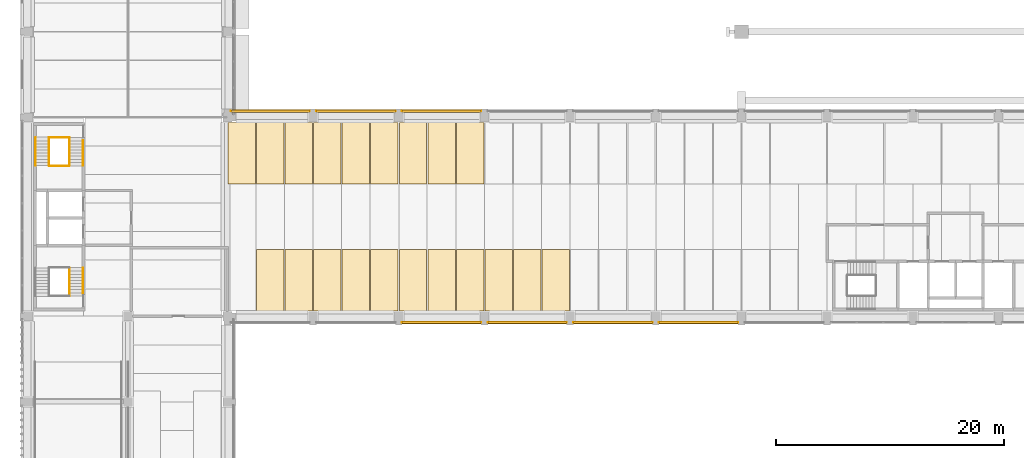
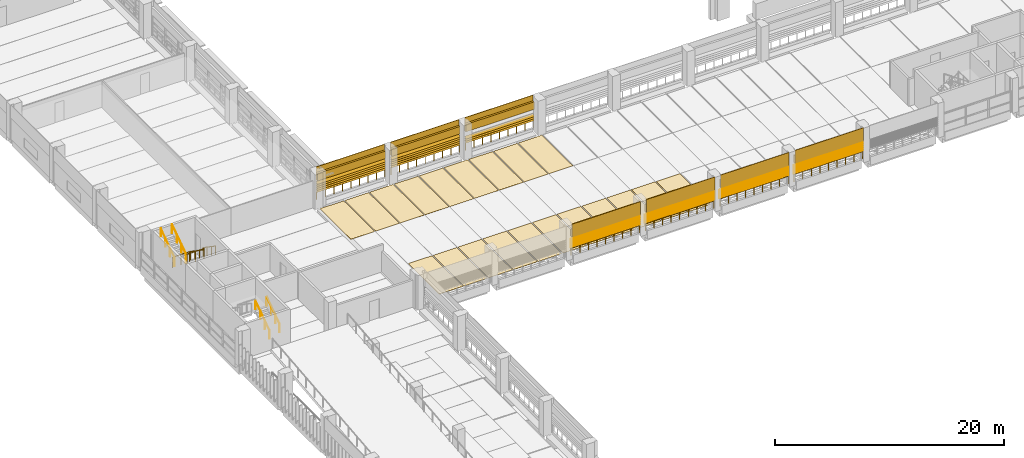
# One storey, part 44 of 61: 33 shading devices, 27 coverings, 15 railings.
"""IFC4 building model written with IfcOpenShell, lengths in metres."""

import ifcopenshell
import ifcopenshell.guid

model = None  # the IFC model being written
_history = None  # IfcOwnerHistory: only IFC2X3 demands one
_inside = {}  # id of a spatial element -> (the spatial element, [elements in it])
_under = {}  # id of a project, library or spatial element -> (it, [spatial elements below it])
_declared = {}  # id of a project -> (the project, [libraries it declares])
_typed = {}  # id of a type object -> (the type object, [elements of that type])
_made_of = {}  # id of a material, layer set ... -> (it, [elements and type objects made of it])


def new_model(schema):
    """Start an empty IFC model of exactly this schema.

    Asked for "IFC4X3", IfcOpenShell would pick the latest addendum, in which some entities
    have other attributes; the version numbers below select the first issue.
    IFC2X3 requires an IfcOwnerHistory on every rooted entity: one is made here for all.
    """
    global model, _history
    if schema == "IFC4X3":
        model = ifcopenshell.file(schema_version=(4, 3, 0, 0))
    else:
        model = ifcopenshell.file(schema=schema)
    _inside.clear()
    _under.clear()
    _declared.clear()
    _typed.clear()
    _made_of.clear()
    _history = None
    if model.schema == "IFC2X3":
        org = make("IfcOrganization", Name="unknown")
        user = make(
            "IfcPersonAndOrganization",
            ThePerson=make("IfcPerson", FamilyName="unknown"),
            TheOrganization=org,
        )
        app = make(
            "IfcApplication",
            ApplicationDeveloper=org,
            Version="unknown",
            ApplicationFullName="unknown",
            ApplicationIdentifier="unknown",
        )
        _history = make(
            "IfcOwnerHistory",
            OwningUser=user,
            OwningApplication=app,
            ChangeAction="ADDED",
            CreationDate=0,
        )
    return model


def make(cls, **values):
    """One entity of the class cls with the attributes given. An attribute that is None is left unset."""
    return model.create_entity(
        cls, **{name: value for name, value in values.items() if value is not None}
    )


def rooted(cls, **values):
    """An entity with a GlobalId (a new one), such as an element, a storey or a relation."""
    return make(cls, GlobalId=ifcopenshell.guid.new(), OwnerHistory=_history, **values)


def si_unit(unit_type, name, prefix=None):
    """IfcSIUnit, for example si_unit("LENGTHUNIT", "METRE", prefix="MILLI")."""
    return make("IfcSIUnit", UnitType=unit_type, Prefix=prefix, Name=name)


def assignment(units):
    """IfcUnitAssignment: the units of a project."""
    return None if units is None else make("IfcUnitAssignment", Units=units)


def point(xyz):
    """IfcCartesianPoint."""
    return None if xyz is None else make("IfcCartesianPoint", Coordinates=xyz)


def direction(xyz):
    """IfcDirection."""
    return None if xyz is None else make("IfcDirection", DirectionRatios=xyz)


def frame(location, z_axis=None, x_axis=None):
    """IfcAxis2Placement3D, a coordinate frame: its origin and axes. An axis left out is left unset."""
    return make(
        "IfcAxis2Placement3D",
        Location=point(location),
        Axis=direction(z_axis),
        RefDirection=direction(x_axis),
    )


def frame_2d(location, x_axis=None):
    """IfcAxis2Placement2D, a coordinate frame in the plane: its origin and x axis."""
    return make(
        "IfcAxis2Placement2D", Location=point(location), RefDirection=direction(x_axis)
    )


def origin():
    """The frame at (0, 0, 0) with its axes left unset."""
    return frame((0.0, 0.0, 0.0))


def origin_2d():
    """The frame at (0, 0) in the plane with its x axis left unset."""
    return frame_2d((0.0, 0.0))


def place(relative_to, where):
    """IfcLocalPlacement: puts the frame where relative to a parent placement (None: the world)."""
    return make(
        "IfcLocalPlacement", PlacementRelTo=relative_to, RelativePlacement=where
    )


def context(
    kind, dimensions, precision=None, world=None, true_north=None, identifier=None
):
    """IfcGeometricRepresentationContext, for example the 3D "Model" context."""
    return make(
        "IfcGeometricRepresentationContext",
        ContextIdentifier=identifier,
        ContextType=kind,
        CoordinateSpaceDimension=dimensions,
        Precision=precision,
        WorldCoordinateSystem=world,
        TrueNorth=true_north,
    )


def subcontext(parent, identifier, kind, view, scale=None):
    """IfcGeometricRepresentationSubContext, for example "Body" below "Model"."""
    return make(
        "IfcGeometricRepresentationSubContext",
        ContextIdentifier=identifier,
        ContextType=kind,
        ParentContext=parent,
        TargetScale=scale,
        TargetView=view,
    )


def project(units=None, contexts=None):
    """IfcProject with its units and contexts."""
    return rooted(
        "IfcProject",
        Name="project",
        RepresentationContexts=contexts,
        UnitsInContext=assignment(units),
    )


def spatial(cls, under=None, at=None, **own):
    """A site, building, storey or space (cls), placed at a placement, below another one or the project."""
    s = rooted(cls, ObjectPlacement=at, **own)
    if under is not None:
        _under.setdefault(under.id(), (under, []))[1].append(s)
    return s


def polyline(points):
    """IfcPolyline through the points."""
    return make("IfcPolyline", Points=[point(p) for p in points])


def profile(cls, at=None, kind="AREA", **sizes):
    """A parametric profile (cls). Its sizes go by their IFC names, for example OverallWidth=200.0."""
    return make(cls, ProfileType=kind, Position=at, **sizes)


def circle(**sizes):
    """IfcCircleProfileDef."""
    return profile("IfcCircleProfileDef", **sizes)


def outline(outer, holes=None, kind="AREA"):
    """IfcArbitraryClosedProfileDef: a profile drawn as a closed curve; with holes, ...WithVoids."""
    if holes is None:
        return make("IfcArbitraryClosedProfileDef", ProfileType=kind, OuterCurve=outer)
    return make(
        "IfcArbitraryProfileDefWithVoids",
        ProfileType=kind,
        OuterCurve=outer,
        InnerCurves=holes,
    )


def extrude(swept, where, along, depth):
    """IfcExtrudedAreaSolid: the profile swept, set in the frame where, extruded along a direction by depth."""
    return make(
        "IfcExtrudedAreaSolid",
        SweptArea=swept,
        Position=where,
        ExtrudedDirection=direction(along),
        Depth=depth,
    )


def shape(context_of_items, identifier, shape_type, items):
    """IfcShapeRepresentation: the items that make up one representation, for example the "Body"."""
    return make(
        "IfcShapeRepresentation",
        ContextOfItems=context_of_items,
        RepresentationIdentifier=identifier,
        RepresentationType=shape_type,
        Items=items,
    )


def material(Name=None, Category=None):
    """IfcMaterial."""
    return make("IfcMaterial", Name=Name, Category=Category)


def layer(
    of_material, thickness, ventilated=None, Name=None, Category=None, Priority=None
):
    """IfcMaterialLayer: one layer of a wall or slab, of a material (None: an air gap)."""
    return make(
        "IfcMaterialLayer",
        Material=of_material,
        LayerThickness=thickness,
        IsVentilated=ventilated,
        Name=Name,
        Category=Category,
        Priority=Priority,
    )


def layer_set(layers, Name=None):
    """IfcMaterialLayerSet."""
    return make("IfcMaterialLayerSet", MaterialLayers=layers, LayerSetName=Name)


def made_of(thing, what):
    """Note that an element or type object is made of a material, layer set ...; save() writes the relation."""
    if what is not None:
        _made_of.setdefault(what.id(), (what, []))[1].append(thing)
    return thing


def type_object(cls, material=None, **own):
    """A type object (cls), such as IfcWallType, which elements share."""
    return made_of(rooted(cls, **own), material)


def element(
    cls,
    number,
    at=None,
    inside=None,
    cuts=None,
    type_object=None,
    material=None,
    context=None,
    identifier="Body",
    shape_type=None,
    held_by="IfcProductDefinitionShape",
    body=None,
    shapes=None,
    **own,
):
    """One element of the class cls, such as IfcWall. Its Tag is "e" and its number.

    at: its placement. inside: the storey or other place that contains it. cuts: it is an
    opening in that element (IfcRelVoidsElement). A single representation is given by context,
    identifier, shape_type and body (its items); several are given by shapes. held_by: the class
    of the entity that holds the representations. save() writes the other relations.
    """
    e = rooted(cls, Tag="e%d" % number, ObjectPlacement=at, **own)
    if body is not None:
        shapes = [shape(context, identifier, shape_type, body)]
    if shapes is not None:
        e.Representation = make(held_by, Representations=shapes)
    if inside is not None:
        _inside.setdefault(inside.id(), (inside, []))[1].append(e)
    if cuts is not None:
        rooted(
            "IfcRelVoidsElement", RelatingBuildingElement=cuts, RelatedOpeningElement=e
        )
    if type_object is not None:
        _typed.setdefault(type_object.id(), (type_object, []))[1].append(e)
    return made_of(e, material)


def aggregate(whole, parts):
    """IfcRelAggregates: a whole, such as a stair, and the parts it consists of."""
    return rooted("IfcRelAggregates", RelatingObject=whole, RelatedObjects=parts)


def save(model, path):
    """Write the relations noted so far, then the file.

    IfcRelAggregates (storeys below a building ...), IfcRelContainedInSpatialStructure (elements
    in a storey), IfcRelDefinesByType, IfcRelAssociatesMaterial and IfcRelDeclares: one each for
    every whole, place, type object, material and project.
    """
    for whole, parts in _under.values():
        aggregate(whole, parts)
    for where, things in _inside.values():
        rooted(
            "IfcRelContainedInSpatialStructure",
            RelatedElements=things,
            RelatingStructure=where,
        )
    for kind, things in _typed.values():
        rooted("IfcRelDefinesByType", RelatedObjects=things, RelatingType=kind)
    for what, things in _made_of.values():
        rooted("IfcRelAssociatesMaterial", RelatedObjects=things, RelatingMaterial=what)
    for by, libraries in _declared.values():
        rooted("IfcRelDeclares", RelatingContext=by, RelatedDefinitions=libraries)
    model.write(path)


model = new_model("IFC4")

# Units and contexts
model_context = context("Model", 3, precision=1e-05, world=origin(), true_north=direction((0.0, 1.0)))
body_context = subcontext(model_context, "Body", "Model", "MODEL_VIEW")
ifc_project = project(units=[si_unit("LENGTHUNIT", "METRE"), si_unit("AREAUNIT", "SQUARE_METRE"), si_unit("VOLUMEUNIT", "CUBIC_METRE"), si_unit("PLANEANGLEUNIT", "RADIAN"), si_unit("MASSUNIT", "GRAM", prefix="KILO")], contexts=[model_context])

# Site, building, storey
site_placement = place(None, origin())
site = spatial("IfcSite", under=ifc_project, at=site_placement, CompositionType="ELEMENT")
building_placement = place(site_placement, origin())
building = spatial("IfcBuilding", under=site, at=building_placement, Name="Cour d'Honneur Mobility Palace", CompositionType="ELEMENT")
storey_placement = place(building_placement, frame((0.0, 0.0, 11.89990234375)))
storey = spatial("IfcBuildingStorey", under=building, at=storey_placement, Name="L03", CompositionType="ELEMENT", Elevation=11.89990234375)

# Railings
ifc_material_1 = material(Name="Painted steel", Category="steel")
railing_type_1 = type_object("IfcRailingType", Name="Balustrade", PredefinedType="BALUSTRADE", material=ifc_material_1)
for number, where, name in (
    (1, (32.699951171875, 44.449951171875, 0.300048828125), "Balustrade BAL-141"),
    (2, (40.199951171875, 44.449951171875, 0.300048828125), "Balustrade BAL-142"),
    (3, (47.699951171875, 44.449951171875, 0.300048828125), "Balustrade BAL-143"),
    (4, (55.199951171875, 44.449951171875, 0.300048828125), "Balustrade BAL-144"),
):
    element("IfcRailing", number, at=place(storey_placement, frame(where)), inside=storey, type_object=railing_type_1, Name=name, PredefinedType="BALUSTRADE", context=body_context, shape_type="SweptSolid", body=[
        extrude(circle(Radius=0.02392578125, at=origin_2d()), frame((0.0, 0.0, 0.77587890625), z_axis=(1.0, 0.0, 0.0), x_axis=(0.0, 1.0, 0.0)), (0.0, 0.0, 1.0), 6.900146484375),
        extrude(circle(Radius=0.02099609375, at=origin_2d()), origin(), (0.0, 0.0, 1.0), 0.751953125),
        extrude(circle(Radius=0.02099609375, at=origin_2d()), frame((0.862548828125, 0.0, 0.0)), (0.0, 0.0, 1.0), 0.751953125),
        extrude(circle(Radius=0.02099609375, at=origin_2d()), frame((1.72509765625, 0.0, 0.0)), (0.0, 0.0, 1.0), 0.751953125),
        extrude(circle(Radius=0.02099609375, at=origin_2d()), frame((2.587646484375, 0.0, 0.0)), (0.0, 0.0, 1.0), 0.751953125),
        extrude(circle(Radius=0.02099609375, at=origin_2d()), frame((3.4501953125, 0.0, 0.0)), (0.0, 0.0, 1.0), 0.751953125),
        extrude(circle(Radius=0.02099609375, at=origin_2d()), frame((4.3125, 0.0, 0.0)), (0.0, 0.0, 1.0), 0.751953125),
        extrude(circle(Radius=0.02099609375, at=origin_2d()), frame((5.175048828125, 0.0, 0.0)), (0.0, 0.0, 1.0), 0.751953125),
        extrude(circle(Radius=0.02099609375, at=origin_2d()), frame((6.03759765625, 0.0, 0.0)), (0.0, 0.0, 1.0), 0.751953125),
        extrude(circle(Radius=0.02099609375, at=origin_2d()), frame((6.900146484375, 0.0, 0.0)), (0.0, 0.0, 1.0), 0.751953125),
    ])
for number, where, name in (
    (5, (39.60009765625, 62.949951171875, 0.300048828125), "Balustrade BAL-184"),
    (6, (32.10009765625, 62.949951171875, 0.300048828125), "Balustrade BAL-185"),
    (7, (24.60009765625, 62.949951171875, 0.300048828125), "Balustrade BAL-186"),
):
    element("IfcRailing", number, at=place(storey_placement, frame(where)), inside=storey, type_object=railing_type_1, Name=name, PredefinedType="BALUSTRADE", context=body_context, shape_type="SweptSolid", body=[
        extrude(circle(Radius=0.02392578125, at=origin_2d()), frame((0.0, 0.0, 0.77587890625), z_axis=(-1.0, 0.0, 0.0), x_axis=(0.0, -1.0, 0.0)), (0.0, 0.0, 1.0), 6.900146484375),
        extrude(circle(Radius=0.02099609375, at=origin_2d()), origin(), (0.0, 0.0, 1.0), 0.751953125),
        extrude(circle(Radius=0.02099609375, at=origin_2d()), frame((-0.862548828125, 0.0, 0.0)), (0.0, 0.0, 1.0), 0.751953125),
        extrude(circle(Radius=0.02099609375, at=origin_2d()), frame((-1.72509765625, 0.0, 0.0)), (0.0, 0.0, 1.0), 0.751953125),
        extrude(circle(Radius=0.02099609375, at=origin_2d()), frame((-2.587646484375, 0.0, 0.0)), (0.0, 0.0, 1.0), 0.751953125),
        extrude(circle(Radius=0.02099609375, at=origin_2d()), frame((-3.4501953125, 0.0, 0.0)), (0.0, 0.0, 1.0), 0.751953125),
        extrude(circle(Radius=0.02099609375, at=origin_2d()), frame((-4.3125, 0.0, 0.0)), (0.0, 0.0, 1.0), 0.751953125),
        extrude(circle(Radius=0.02099609375, at=origin_2d()), frame((-5.175048828125, 0.0, 0.0)), (0.0, 0.0, 1.0), 0.751953125),
        extrude(circle(Radius=0.02099609375, at=origin_2d()), frame((-6.03759765625, 0.0, 0.0)), (0.0, 0.0, 1.0), 0.751953125),
        extrude(circle(Radius=0.02099609375, at=origin_2d()), frame((-6.900146484375, 0.0, 0.0)), (0.0, 0.0, 1.0), 0.751953125),
    ])
ifc_material_2 = material(Name="Painted steel", Category="steel")
railing_type_2 = type_object("IfcRailingType", Name="Guardrail 1100", PredefinedType="GUARDRAIL", material=ifc_material_2)
for number, where, name in (
    (8, (1.824951171875, 60.64501953125, 0.0), "Guard ST-CW2"),
    (9, (1.824951171875, 58.135009765625, 1.85009765625), "Landing guard ST-CW2"),
):
    element("IfcRailing", number, at=place(storey_placement, frame(where)), inside=storey, type_object=railing_type_2, Name=name, PredefinedType="GUARDRAIL", context=body_context, shape_type="SweptSolid", body=[
        extrude(circle(Radius=0.02490234375, at=origin_2d()), frame((0.0, 0.0, 1.0751953125), z_axis=(1.0, 0.0, 0.0), x_axis=(0.0, 1.0, 0.0)), (0.0, 0.0, 1.0), 1.72509765625),
        extrude(circle(Radius=0.02099609375, at=origin_2d()), origin(), (0.0, 0.0, 1.0), 1.050048828125),
        extrude(circle(Radius=0.02099609375, at=origin_2d()), frame((0.862548828125, 0.0, 0.0)), (0.0, 0.0, 1.0), 1.050048828125),
        extrude(circle(Radius=0.02099609375, at=origin_2d()), frame((1.72509765625, 0.0, 0.0)), (0.0, 0.0, 1.0), 1.050048828125),
    ])
ifc_material_3 = material(Name="Stainless steel", Category="steel")
railing_type_3 = type_object("IfcRailingType", Name="Handrail round 50", PredefinedType="HANDRAIL", material=ifc_material_3)
railing_1_placement = place(storey_placement, frame((4.75, 47.0, 0.33935546875)))
element("IfcRailing", 10, at=railing_1_placement, inside=storey, type_object=railing_type_3, Name="Handrail ST-CW1", PredefinedType="HANDRAIL", context=body_context, shape_type="SweptSolid", body=[
    extrude(circle(Radius=0.02490234375, at=origin_2d()), frame((0.0, 0.0, 0.89501953125), z_axis=(0.0, 0.824957609129, 0.565194606432), x_axis=(-1.0, 0.0, 0.0)), (0.0, 0.0, 1.0), 2.6728515625),
    extrude(circle(Radius=0.02099609375, at=origin_2d()), origin(), (0.0, 0.0, 1.0), 0.869873046875),
    extrude(circle(Radius=0.02099609375, at=origin_2d()), frame((0.0, 0.735107421875, 0.503662109375)), (0.0, 0.0, 1.0), 0.869873046875),
    extrude(circle(Radius=0.02099609375, at=origin_2d()), frame((0.0, 1.469970703125, 1.007080078125)), (0.0, 0.0, 1.0), 0.869873046875),
    extrude(circle(Radius=0.02099609375, at=origin_2d()), frame((0.0, 2.205078125, 1.5107421875)), (0.0, 0.0, 1.0), 0.869873046875),
])
railing_2_placement = place(storey_placement, frame((3.60009765625, 46.77490234375, 0.18505859375)))
element("IfcRailing", 11, at=railing_2_placement, inside=storey, type_object=railing_type_3, Name="Handrail ST-CW1", PredefinedType="HANDRAIL", context=body_context, shape_type="SweptSolid", body=[
    extrude(circle(Radius=0.02490234375, at=origin_2d()), frame((0.0, 0.0, 0.89501953125), z_axis=(0.0, 0.824945253146, 0.565212640793), x_axis=(-1.0, 0.0, 0.0)), (0.0, 0.0, 1.0), 2.94580078125),
    extrude(circle(Radius=0.02099609375, at=origin_2d()), origin(), (0.0, 0.0, 1.0), 0.869873046875),
    extrude(circle(Radius=0.02099609375, at=origin_2d()), frame((0.0, 0.81005859375, 0.554931640625)), (0.0, 0.0, 1.0), 0.869873046875),
    extrude(circle(Radius=0.02099609375, at=origin_2d()), frame((0.0, 1.6201171875, 1.110107421875)), (0.0, 0.0, 1.0), 0.869873046875),
    extrude(circle(Radius=0.02099609375, at=origin_2d()), frame((0.0, 2.43017578125, 1.6650390625)), (0.0, 0.0, 1.0), 0.869873046875),
])
railing_3_placement = place(storey_placement, frame((4.75, 60.39990234375, 0.33935546875)))
element("IfcRailing", 12, at=railing_3_placement, inside=storey, type_object=railing_type_3, Name="Handrail ST-CW2", PredefinedType="HANDRAIL", context=body_context, shape_type="SweptSolid", body=[
    extrude(circle(Radius=0.02490234375, at=origin_2d()), frame((0.0, 0.0, 0.89501953125), z_axis=(0.0, -0.824928428624, 0.565237195917), x_axis=(1.0, 0.0, 0.0)), (0.0, 0.0, 1.0), 2.6728515625),
    extrude(circle(Radius=0.02099609375, at=origin_2d()), origin(), (0.0, 0.0, 1.0), 0.869873046875),
    extrude(circle(Radius=0.02099609375, at=origin_2d()), frame((0.0, -0.73486328125, 0.503662109375)), (0.0, 0.0, 1.0), 0.869873046875),
    extrude(circle(Radius=0.02099609375, at=origin_2d()), frame((0.0, -1.469970703125, 1.007080078125)), (0.0, 0.0, 1.0), 0.869873046875),
    extrude(circle(Radius=0.02099609375, at=origin_2d()), frame((0.0, -2.204833984375, 1.5107421875)), (0.0, 0.0, 1.0), 0.869873046875),
])
railing_4_placement = place(storey_placement, frame((3.60009765625, 60.625, 0.18505859375)))
element("IfcRailing", 13, at=railing_4_placement, inside=storey, type_object=railing_type_3, Name="Handrail ST-CW2", PredefinedType="HANDRAIL", context=body_context, shape_type="SweptSolid", body=[
    extrude(circle(Radius=0.02490234375, at=origin_2d()), frame((0.0, 0.0, 0.89501953125), z_axis=(0.0, -0.8249187745, 0.56525128525), x_axis=(1.0, 0.0, 0.0)), (0.0, 0.0, 1.0), 2.945556640625),
    extrude(circle(Radius=0.02099609375, at=origin_2d()), origin(), (0.0, 0.0, 1.0), 0.869873046875),
    extrude(circle(Radius=0.02099609375, at=origin_2d()), frame((0.0, -0.81005859375, 0.554931640625)), (0.0, 0.0, 1.0), 0.869873046875),
    extrude(circle(Radius=0.02099609375, at=origin_2d()), frame((0.0, -1.619873046875, 1.110107421875)), (0.0, 0.0, 1.0), 0.869873046875),
    extrude(circle(Radius=0.02099609375, at=origin_2d()), frame((0.0, -2.429931640625, 1.6650390625)), (0.0, 0.0, 1.0), 0.869873046875),
])
for number, where, name in (
    (14, (1.77490234375, 58.195068359375, 2.03515625), "Handrail ST-CW2"),
    (15, (0.625, 58.195068359375, 2.03515625), "Handrail ST-CW2"),
):
    element("IfcRailing", number, at=place(storey_placement, frame(where)), inside=storey, type_object=railing_type_3, Name=name, PredefinedType="HANDRAIL", context=body_context, shape_type="SweptSolid", body=[
        extrude(circle(Radius=0.02490234375, at=origin_2d()), frame((0.0, 0.0, 0.89501953125), z_axis=(0.0, 0.8249187745, 0.56525128525), x_axis=(-1.0, 0.0, 0.0)), (0.0, 0.0, 1.0), 2.945556640625),
        extrude(circle(Radius=0.02099609375, at=origin_2d()), origin(), (0.0, 0.0, 1.0), 0.869873046875),
        extrude(circle(Radius=0.02099609375, at=origin_2d()), frame((0.0, 0.81005859375, 0.554931640625)), (0.0, 0.0, 1.0), 0.869873046875),
        extrude(circle(Radius=0.02099609375, at=origin_2d()), frame((0.0, 1.619873046875, 1.110107421875)), (0.0, 0.0, 1.0), 0.869873046875),
        extrude(circle(Radius=0.02099609375, at=origin_2d()), frame((0.0, 2.429931640625, 1.6650390625)), (0.0, 0.0, 1.0), 0.869873046875),
    ])

# Coverings
ifc_material_4 = material(Name="Parking marking paint")
ifc_layer_1 = layer(ifc_material_4, 0.0048828125)
ifc_layer_set_1 = layer_set([ifc_layer_1], Name="Parking marking paint")
covering_type_1 = type_object("IfcCoveringType", Name="Parking bay marking", PredefinedType="FLOORING", material=ifc_layer_set_1)
covering_1_placement = place(storey_placement, origin())
element("IfcCovering", 16, at=covering_1_placement, inside=storey, type_object=covering_type_1, Name="Parking bay marking L03 1", PredefinedType="FLOORING", context=body_context, shape_type="SweptSolid", body=[
    extrude(outline(polyline([(19.85009765625, 56.550048828125), (17.449951171875, 56.550048828125), (17.449951171875, 61.949951171875), (19.85009765625, 61.949951171875), (19.85009765625, 56.550048828125)])), origin(), (0.0, 0.0, 1.0), 0.005126953125),
])
covering_2_placement = place(storey_placement, origin())
element("IfcCovering", 17, at=covering_2_placement, inside=storey, type_object=covering_type_1, Name="Parking bay marking L03 12", PredefinedType="FLOORING", context=body_context, shape_type="SweptSolid", body=[
    extrude(outline(polyline([(22.35009765625, 56.550048828125), (19.949951171875, 56.550048828125), (19.949951171875, 61.949951171875), (22.35009765625, 61.949951171875), (22.35009765625, 56.550048828125)])), origin(), (0.0, 0.0, 1.0), 0.005126953125),
])
covering_3_placement = place(storey_placement, origin())
element("IfcCovering", 18, at=covering_3_placement, inside=storey, type_object=covering_type_1, Name="Parking bay marking L03 13", PredefinedType="FLOORING", context=body_context, shape_type="SweptSolid", body=[
    extrude(outline(polyline([(24.85009765625, 56.550048828125), (22.449951171875, 56.550048828125), (22.449951171875, 61.949951171875), (24.85009765625, 61.949951171875), (24.85009765625, 56.550048828125)])), origin(), (0.0, 0.0, 1.0), 0.005126953125),
])
covering_4_placement = place(storey_placement, origin())
element("IfcCovering", 19, at=covering_4_placement, inside=storey, type_object=covering_type_1, Name="Parking bay marking L03 22", PredefinedType="FLOORING", context=body_context, shape_type="SweptSolid", body=[
    extrude(outline(polyline([(27.35009765625, 56.550048828125), (24.949951171875, 56.550048828125), (24.949951171875, 61.949951171875), (27.35009765625, 61.949951171875), (27.35009765625, 56.550048828125)])), origin(), (0.0, 0.0, 1.0), 0.005126953125),
])
covering_5_placement = place(storey_placement, origin())
element("IfcCovering", 20, at=covering_5_placement, inside=storey, type_object=covering_type_1, Name="Parking bay marking L03 33", PredefinedType="FLOORING", context=body_context, shape_type="SweptSolid", body=[
    extrude(outline(polyline([(29.85009765625, 56.550048828125), (27.449951171875, 56.550048828125), (27.449951171875, 61.949951171875), (29.85009765625, 61.949951171875), (29.85009765625, 56.550048828125)])), origin(), (0.0, 0.0, 1.0), 0.005126953125),
])
covering_6_placement = place(storey_placement, origin())
element("IfcCovering", 21, at=covering_6_placement, inside=storey, type_object=covering_type_1, Name="Parking bay marking L03 36", PredefinedType="FLOORING", context=body_context, shape_type="SweptSolid", body=[
    extrude(outline(polyline([(32.35009765625, 56.550048828125), (29.949951171875, 56.550048828125), (29.949951171875, 61.949951171875), (32.35009765625, 61.949951171875), (32.35009765625, 56.550048828125)])), origin(), (0.0, 0.0, 1.0), 0.005126953125),
])
covering_7_placement = place(storey_placement, origin())
element("IfcCovering", 22, at=covering_7_placement, inside=storey, type_object=covering_type_1, Name="Parking bay marking L03 37", PredefinedType="FLOORING", context=body_context, shape_type="SweptSolid", body=[
    extrude(outline(polyline([(34.85009765625, 56.550048828125), (32.449951171875, 56.550048828125), (32.449951171875, 61.949951171875), (34.85009765625, 61.949951171875), (34.85009765625, 56.550048828125)])), origin(), (0.0, 0.0, 1.0), 0.005126953125),
])
covering_8_placement = place(storey_placement, origin())
element("IfcCovering", 23, at=covering_8_placement, inside=storey, type_object=covering_type_1, Name="Parking bay marking L03 38", PredefinedType="FLOORING", context=body_context, shape_type="SweptSolid", body=[
    extrude(outline(polyline([(37.35009765625, 56.550048828125), (34.949951171875, 56.550048828125), (34.949951171875, 61.949951171875), (37.35009765625, 61.949951171875), (37.35009765625, 56.550048828125)])), origin(), (0.0, 0.0, 1.0), 0.005126953125),
])
covering_9_placement = place(storey_placement, origin())
element("IfcCovering", 24, at=covering_9_placement, inside=storey, type_object=covering_type_1, Name="Parking bay marking L03 39", PredefinedType="FLOORING", context=body_context, shape_type="SweptSolid", body=[
    extrude(outline(polyline([(39.85009765625, 56.550048828125), (37.449951171875, 56.550048828125), (37.449951171875, 61.949951171875), (39.85009765625, 61.949951171875), (39.85009765625, 56.550048828125)])), origin(), (0.0, 0.0, 1.0), 0.005126953125),
])
covering_10_placement = place(storey_placement, origin())
element("IfcCovering", 25, at=covering_10_placement, inside=storey, type_object=covering_type_1, Name="Parking bay marking L03 40", PredefinedType="FLOORING", context=body_context, shape_type="SweptSolid", body=[
    extrude(outline(polyline([(42.35009765625, 45.449951171875), (39.949951171875, 45.449951171875), (39.949951171875, 50.85009765625), (42.35009765625, 50.85009765625), (42.35009765625, 45.449951171875)])), origin(), (0.0, 0.0, 1.0), 0.005126953125),
])
covering_11_placement = place(storey_placement, origin())
element("IfcCovering", 26, at=covering_11_placement, inside=storey, type_object=covering_type_1, Name="Parking bay marking L03 41", PredefinedType="FLOORING", context=body_context, shape_type="SweptSolid", body=[
    extrude(outline(polyline([(44.85009765625, 45.449951171875), (42.449951171875, 45.449951171875), (42.449951171875, 50.85009765625), (44.85009765625, 50.85009765625), (44.85009765625, 45.449951171875)])), origin(), (0.0, 0.0, 1.0), 0.005126953125),
])
covering_12_placement = place(storey_placement, origin())
element("IfcCovering", 27, at=covering_12_placement, inside=storey, type_object=covering_type_1, Name="Parking bay marking L03 42", PredefinedType="FLOORING", context=body_context, shape_type="SweptSolid", body=[
    extrude(outline(polyline([(47.35009765625, 45.449951171875), (44.949951171875, 45.449951171875), (44.949951171875, 50.85009765625), (47.35009765625, 50.85009765625), (47.35009765625, 45.449951171875)])), origin(), (0.0, 0.0, 1.0), 0.005126953125),
])
covering_13_placement = place(storey_placement, origin())
element("IfcCovering", 28, at=covering_13_placement, inside=storey, type_object=covering_type_1, Name="Parking bay marking L03 50", PredefinedType="FLOORING", context=body_context, shape_type="SweptSolid", body=[
    extrude(outline(polyline([(22.35009765625, 45.449951171875), (19.949951171875, 45.449951171875), (19.949951171875, 50.85009765625), (22.35009765625, 50.85009765625), (22.35009765625, 45.449951171875)])), origin(), (0.0, 0.0, 1.0), 0.005126953125),
])
covering_14_placement = place(storey_placement, origin())
element("IfcCovering", 29, at=covering_14_placement, inside=storey, type_object=covering_type_1, Name="Parking bay marking L03 52", PredefinedType="FLOORING", context=body_context, shape_type="SweptSolid", body=[
    extrude(outline(polyline([(24.85009765625, 45.449951171875), (22.449951171875, 45.449951171875), (22.449951171875, 50.85009765625), (24.85009765625, 50.85009765625), (24.85009765625, 45.449951171875)])), origin(), (0.0, 0.0, 1.0), 0.005126953125),
])
covering_15_placement = place(storey_placement, origin())
element("IfcCovering", 30, at=covering_15_placement, inside=storey, type_object=covering_type_1, Name="Parking bay marking L03 61", PredefinedType="FLOORING", context=body_context, shape_type="SweptSolid", body=[
    extrude(outline(polyline([(27.35009765625, 45.449951171875), (24.949951171875, 45.449951171875), (24.949951171875, 50.85009765625), (27.35009765625, 50.85009765625), (27.35009765625, 45.449951171875)])), origin(), (0.0, 0.0, 1.0), 0.005126953125),
])
covering_16_placement = place(storey_placement, origin())
element("IfcCovering", 31, at=covering_16_placement, inside=storey, type_object=covering_type_1, Name="Parking bay marking L03 72", PredefinedType="FLOORING", context=body_context, shape_type="SweptSolid", body=[
    extrude(outline(polyline([(29.85009765625, 45.449951171875), (27.449951171875, 45.449951171875), (27.449951171875, 50.85009765625), (29.85009765625, 50.85009765625), (29.85009765625, 45.449951171875)])), origin(), (0.0, 0.0, 1.0), 0.005126953125),
])
covering_17_placement = place(storey_placement, origin())
element("IfcCovering", 32, at=covering_17_placement, inside=storey, type_object=covering_type_1, Name="Parking bay marking L03 74", PredefinedType="FLOORING", context=body_context, shape_type="SweptSolid", body=[
    extrude(outline(polyline([(32.35009765625, 45.449951171875), (29.949951171875, 45.449951171875), (29.949951171875, 50.85009765625), (32.35009765625, 50.85009765625), (32.35009765625, 45.449951171875)])), origin(), (0.0, 0.0, 1.0), 0.005126953125),
])
covering_18_placement = place(storey_placement, origin())
element("IfcCovering", 33, at=covering_18_placement, inside=storey, type_object=covering_type_1, Name="Parking bay marking L03 75", PredefinedType="FLOORING", context=body_context, shape_type="SweptSolid", body=[
    extrude(outline(polyline([(34.85009765625, 45.449951171875), (32.449951171875, 45.449951171875), (32.449951171875, 50.85009765625), (34.85009765625, 50.85009765625), (34.85009765625, 45.449951171875)])), origin(), (0.0, 0.0, 1.0), 0.005126953125),
])
covering_19_placement = place(storey_placement, origin())
element("IfcCovering", 34, at=covering_19_placement, inside=storey, type_object=covering_type_1, Name="Parking bay marking L03 76", PredefinedType="FLOORING", context=body_context, shape_type="SweptSolid", body=[
    extrude(outline(polyline([(37.35009765625, 45.449951171875), (34.949951171875, 45.449951171875), (34.949951171875, 50.85009765625), (37.35009765625, 50.85009765625), (37.35009765625, 45.449951171875)])), origin(), (0.0, 0.0, 1.0), 0.005126953125),
])
covering_20_placement = place(storey_placement, origin())
element("IfcCovering", 35, at=covering_20_placement, inside=storey, type_object=covering_type_1, Name="Parking bay marking L03 77", PredefinedType="FLOORING", context=body_context, shape_type="SweptSolid", body=[
    extrude(outline(polyline([(39.85009765625, 45.449951171875), (37.449951171875, 45.449951171875), (37.449951171875, 50.85009765625), (39.85009765625, 50.85009765625), (39.85009765625, 45.449951171875)])), origin(), (0.0, 0.0, 1.0), 0.005126953125),
])
ifc_material_5 = material(Name="Cast limestone", Category="masonry")
ifc_layer_2 = layer(ifc_material_5, 0.25)
ifc_layer_set_2 = layer_set([ifc_layer_2], Name="Cast limestone")
covering_type_2 = type_object("IfcCoveringType", Name="Spandrel cladding", PredefinedType="CLADDING", material=ifc_layer_set_2)
for number, where, z_axis, x_axis, name in (
    (36, (32.699951171875, 44.550048828125, 2.300048828125), (-1.0, 0.0, 0.0), (0.0, -1.0, 0.0), "Spandrel cladding SK-214"),
    (37, (40.199951171875, 44.550048828125, 2.300048828125), (-1.0, 0.0, 0.0), (0.0, -1.0, 0.0), "Spandrel cladding SK-215"),
    (38, (47.699951171875, 44.550048828125, 2.300048828125), (-1.0, 0.0, 0.0), (0.0, -1.0, 0.0), "Spandrel cladding SK-216"),
    (39, (55.199951171875, 44.550048828125, 2.300048828125), (-1.0, 0.0, 0.0), (0.0, -1.0, 0.0), "Spandrel cladding SK-217"),
    (40, (39.60009765625, 62.85009765625, 2.300048828125), (1.0, 0.0, 0.0), (0.0, 1.0, 0.0), "Spandrel cladding SK-259"),
    (41, (32.10009765625, 62.85009765625, 2.300048828125), (1.0, 0.0, 0.0), (0.0, 1.0, 0.0), "Spandrel cladding SK-260"),
    (42, (24.60009765625, 62.85009765625, 2.300048828125), (1.0, 0.0, 0.0), (0.0, 1.0, 0.0), "Spandrel cladding SK-261"),
):
    element("IfcCovering", number, at=place(storey_placement, frame(where, z_axis=z_axis, x_axis=x_axis)), inside=storey, type_object=covering_type_2, Name=name, PredefinedType="CLADDING", context=body_context, shape_type="SweptSolid", body=[
        extrude(outline(polyline([(0.0, 0.0), (0.25, 0.0), (0.25, 1.400146484375), (0.199951171875, 1.400146484375), (0.199951171875, 0.800048828125), (0.0, 0.800048828125), (0.0, 0.0)])), origin(), (0.0, 0.0, -1.0), 6.89990234375),
    ])

# Shading devices
ifc_material_6 = material(Name="Terracotta", Category="masonry")
ifc_layer_3 = layer(ifc_material_6, 0.02490234375)
ifc_layer_set_3 = layer_set([ifc_layer_3], Name="Terracotta")
shading_device_type = type_object("IfcShadingDeviceType", Name="Terracotta louvre blade", PredefinedType="JALOUSIE", material=ifc_layer_set_3)
for number, where, z_axis, x_axis, name in (
    (43, (32.699951171875, 44.55615234375, 1.10009765625), (0.0, 0.707106781187, 0.707106781187), (1.0, 0.0, 0.0), "Louvre blade LV-1 S2.2 L03 1"),
    (44, (32.699951171875, 44.55615234375, 1.312255859375), (0.0, 0.707106781187, 0.707106781187), (1.0, 0.0, 0.0), "Louvre blade LV-1 S2.2 L03 2"),
    (45, (32.699951171875, 44.55615234375, 1.5244140625), (0.0, 0.707106781187, 0.707106781187), (1.0, 0.0, 0.0), "Louvre blade LV-1 S2.2 L03 3"),
    (46, (32.699951171875, 44.55615234375, 1.736572265625), (0.0, 0.707106781187, 0.707106781187), (1.0, 0.0, 0.0), "Louvre blade LV-1 S2.2 L03 4"),
):
    element("IfcShadingDevice", number, at=place(storey_placement, frame(where, z_axis=z_axis, x_axis=x_axis)), inside=storey, type_object=shading_device_type, Name=name, PredefinedType="JALOUSIE", context=body_context, shape_type="SweptSolid", body=[
        extrude(outline(polyline([(0.0, 0.0), (6.900146484375, 0.0), (6.900146484375, -0.300037008228081), (0.0, -0.300037008228081), (0.0, 0.0)])), origin(), (0.0, 0.0, -1.0), 0.02490234375),
    ])
shading_device_1_placement = place(storey_placement, frame((32.699951171875, 44.55615234375, 1.94873046875), z_axis=(0.0, 0.706699578995, 0.707513749017), x_axis=(1.0, 0.0, 0.0)))
element("IfcShadingDevice", 47, at=shading_device_1_placement, inside=storey, type_object=shading_device_type, Name="Louvre blade LV-1 S2.2 L03 5", PredefinedType="JALOUSIE", context=body_context, shape_type="SweptSolid", body=[
    extrude(outline(polyline([(0.0, 0.0), (6.900146484375, 0.0), (6.900146484375, -0.29986442442957895), (0.0, -0.29986442442957895), (0.0, 0.0)])), origin(), (0.0, 0.0, -1.0), 0.02490234375),
])
for number, where, z_axis, x_axis, name in (
    (48, (40.199951171875, 44.55615234375, 1.10009765625), (0.0, 0.707106781187, 0.707106781187), (1.0, 0.0, 0.0), "Louvre blade LV-1 S2.3 L03 1"),
    (49, (40.199951171875, 44.55615234375, 1.312255859375), (0.0, 0.707106781187, 0.707106781187), (1.0, 0.0, 0.0), "Louvre blade LV-1 S2.3 L03 2"),
    (50, (40.199951171875, 44.55615234375, 1.5244140625), (0.0, 0.707106781187, 0.707106781187), (1.0, 0.0, 0.0), "Louvre blade LV-1 S2.3 L03 3"),
    (51, (40.199951171875, 44.55615234375, 1.736572265625), (0.0, 0.707106781187, 0.707106781187), (1.0, 0.0, 0.0), "Louvre blade LV-1 S2.3 L03 4"),
):
    element("IfcShadingDevice", number, at=place(storey_placement, frame(where, z_axis=z_axis, x_axis=x_axis)), inside=storey, type_object=shading_device_type, Name=name, PredefinedType="JALOUSIE", context=body_context, shape_type="SweptSolid", body=[
        extrude(outline(polyline([(0.0, 0.0), (6.900146484375, 0.0), (6.900146484375, -0.300037008228081), (0.0, -0.300037008228081), (0.0, 0.0)])), origin(), (0.0, 0.0, -1.0), 0.02490234375),
    ])
shading_device_2_placement = place(storey_placement, frame((40.199951171875, 44.55615234375, 1.94873046875), z_axis=(0.0, 0.706699578995, 0.707513749017), x_axis=(1.0, 0.0, 0.0)))
element("IfcShadingDevice", 52, at=shading_device_2_placement, inside=storey, type_object=shading_device_type, Name="Louvre blade LV-1 S2.3 L03 5", PredefinedType="JALOUSIE", context=body_context, shape_type="SweptSolid", body=[
    extrude(outline(polyline([(0.0, 0.0), (6.900146484375, 0.0), (6.900146484375, -0.29986442442957895), (0.0, -0.29986442442957895), (0.0, 0.0)])), origin(), (0.0, 0.0, -1.0), 0.02490234375),
])
for number, where, z_axis, x_axis, name in (
    (53, (47.699951171875, 44.55615234375, 1.10009765625), (0.0, 0.707106781187, 0.707106781187), (1.0, 0.0, 0.0), "Louvre blade LV-1 S2.4 L03 1"),
    (54, (47.699951171875, 44.55615234375, 1.312255859375), (0.0, 0.707106781187, 0.707106781187), (1.0, 0.0, 0.0), "Louvre blade LV-1 S2.4 L03 2"),
    (55, (47.699951171875, 44.55615234375, 1.5244140625), (0.0, 0.707106781187, 0.707106781187), (1.0, 0.0, 0.0), "Louvre blade LV-1 S2.4 L03 3"),
    (56, (47.699951171875, 44.55615234375, 1.736572265625), (0.0, 0.707106781187, 0.707106781187), (1.0, 0.0, 0.0), "Louvre blade LV-1 S2.4 L03 4"),
):
    element("IfcShadingDevice", number, at=place(storey_placement, frame(where, z_axis=z_axis, x_axis=x_axis)), inside=storey, type_object=shading_device_type, Name=name, PredefinedType="JALOUSIE", context=body_context, shape_type="SweptSolid", body=[
        extrude(outline(polyline([(0.0, 0.0), (6.900146484375, 0.0), (6.900146484375, -0.300037008228081), (0.0, -0.300037008228081), (0.0, 0.0)])), origin(), (0.0, 0.0, -1.0), 0.02490234375),
    ])
shading_device_3_placement = place(storey_placement, frame((47.699951171875, 44.55615234375, 1.94873046875), z_axis=(0.0, 0.706699578995, 0.707513749017), x_axis=(1.0, 0.0, 0.0)))
element("IfcShadingDevice", 57, at=shading_device_3_placement, inside=storey, type_object=shading_device_type, Name="Louvre blade LV-1 S2.4 L03 5", PredefinedType="JALOUSIE", context=body_context, shape_type="SweptSolid", body=[
    extrude(outline(polyline([(0.0, 0.0), (6.900146484375, 0.0), (6.900146484375, -0.29986442442957895), (0.0, -0.29986442442957895), (0.0, 0.0)])), origin(), (0.0, 0.0, -1.0), 0.02490234375),
])
for number, where, z_axis, x_axis, name in (
    (58, (55.199951171875, 44.55615234375, 1.10009765625), (0.0, 0.707106781187, 0.707106781187), (1.0, 0.0, 0.0), "Louvre blade LV-1 S2.5 L03 1"),
    (59, (55.199951171875, 44.55615234375, 1.312255859375), (0.0, 0.707106781187, 0.707106781187), (1.0, 0.0, 0.0), "Louvre blade LV-1 S2.5 L03 2"),
    (60, (55.199951171875, 44.55615234375, 1.5244140625), (0.0, 0.707106781187, 0.707106781187), (1.0, 0.0, 0.0), "Louvre blade LV-1 S2.5 L03 3"),
    (61, (55.199951171875, 44.55615234375, 1.736572265625), (0.0, 0.707106781187, 0.707106781187), (1.0, 0.0, 0.0), "Louvre blade LV-1 S2.5 L03 4"),
):
    element("IfcShadingDevice", number, at=place(storey_placement, frame(where, z_axis=z_axis, x_axis=x_axis)), inside=storey, type_object=shading_device_type, Name=name, PredefinedType="JALOUSIE", context=body_context, shape_type="SweptSolid", body=[
        extrude(outline(polyline([(0.0, 0.0), (6.900146484375, 0.0), (6.900146484375, -0.300037008228081), (0.0, -0.300037008228081), (0.0, 0.0)])), origin(), (0.0, 0.0, -1.0), 0.02490234375),
    ])
shading_device_4_placement = place(storey_placement, frame((55.199951171875, 44.55615234375, 1.94873046875), z_axis=(0.0, 0.706699578995, 0.707513749017), x_axis=(1.0, 0.0, 0.0)))
element("IfcShadingDevice", 62, at=shading_device_4_placement, inside=storey, type_object=shading_device_type, Name="Louvre blade LV-1 S2.5 L03 5", PredefinedType="JALOUSIE", context=body_context, shape_type="SweptSolid", body=[
    extrude(outline(polyline([(0.0, 0.0), (6.900146484375, 0.0), (6.900146484375, -0.29986442442957895), (0.0, -0.29986442442957895), (0.0, 0.0)])), origin(), (0.0, 0.0, -1.0), 0.02490234375),
])
for number, where, z_axis, x_axis, name in (
    (63, (39.60009765625, 62.843994140625, 1.10009765625), (0.0, -0.707106781187, 0.707106781187), (-1.0, 0.0, 0.0), "Louvre blade LV-1 N8.14 L03 1"),
    (64, (39.60009765625, 62.843994140625, 1.312255859375), (0.0, -0.707106781187, 0.707106781187), (-1.0, 0.0, 0.0), "Louvre blade LV-1 N8.14 L03 2"),
    (65, (39.60009765625, 62.843994140625, 1.5244140625), (0.0, -0.707106781187, 0.707106781187), (-1.0, 0.0, 0.0), "Louvre blade LV-1 N8.14 L03 3"),
    (66, (32.10009765625, 62.843994140625, 1.10009765625), (0.0, -0.707106781187, 0.707106781187), (-1.0, 0.0, 0.0), "Louvre blade LV-1 N8.15 L03 1"),
    (67, (32.10009765625, 62.843994140625, 1.312255859375), (0.0, -0.707106781187, 0.707106781187), (-1.0, 0.0, 0.0), "Louvre blade LV-1 N8.15 L03 2"),
    (68, (32.10009765625, 62.843994140625, 1.5244140625), (0.0, -0.707106781187, 0.707106781187), (-1.0, 0.0, 0.0), "Louvre blade LV-1 N8.15 L03 3"),
    (69, (32.10009765625, 62.843994140625, 1.736572265625), (0.0, -0.707106781187, 0.707106781187), (-1.0, 0.0, 0.0), "Louvre blade LV-1 N8.15 L03 4"),
):
    element("IfcShadingDevice", number, at=place(storey_placement, frame(where, z_axis=z_axis, x_axis=x_axis)), inside=storey, type_object=shading_device_type, Name=name, PredefinedType="JALOUSIE", context=body_context, shape_type="SweptSolid", body=[
        extrude(outline(polyline([(0.0, 0.0), (6.900146484375, 0.0), (6.900146484375, -0.300037008228081), (0.0, -0.300037008228081), (0.0, 0.0)])), origin(), (0.0, 0.0, -1.0), 0.02490234375),
    ])
shading_device_5_placement = place(storey_placement, frame((32.10009765625, 62.843994140625, 1.94873046875), z_axis=(0.0, -0.706699578995, 0.707513749017), x_axis=(-1.0, 0.0, 0.0)))
element("IfcShadingDevice", 70, at=shading_device_5_placement, inside=storey, type_object=shading_device_type, Name="Louvre blade LV-1 N8.15 L03 5", PredefinedType="JALOUSIE", context=body_context, shape_type="SweptSolid", body=[
    extrude(outline(polyline([(0.0, 0.0), (6.900146484375, 0.0), (6.900146484375, -0.29986442442957895), (0.0, -0.29986442442957895), (0.0, 0.0)])), origin(), (0.0, 0.0, -1.0), 0.02490234375),
])
for number, where, z_axis, x_axis, name in (
    (71, (24.60009765625, 62.843994140625, 1.10009765625), (0.0, -0.707106781187, 0.707106781187), (-1.0, 0.0, 0.0), "Louvre blade LV-1 N8.16 L03 1"),
    (72, (24.60009765625, 62.843994140625, 1.312255859375), (0.0, -0.707106781187, 0.707106781187), (-1.0, 0.0, 0.0), "Louvre blade LV-1 N8.16 L03 2"),
    (73, (24.60009765625, 62.843994140625, 1.5244140625), (0.0, -0.707106781187, 0.707106781187), (-1.0, 0.0, 0.0), "Louvre blade LV-1 N8.16 L03 3"),
    (74, (24.60009765625, 62.843994140625, 1.736572265625), (0.0, -0.707106781187, 0.707106781187), (-1.0, 0.0, 0.0), "Louvre blade LV-1 N8.16 L03 4"),
):
    element("IfcShadingDevice", number, at=place(storey_placement, frame(where, z_axis=z_axis, x_axis=x_axis)), inside=storey, type_object=shading_device_type, Name=name, PredefinedType="JALOUSIE", context=body_context, shape_type="SweptSolid", body=[
        extrude(outline(polyline([(0.0, 0.0), (6.900146484375, 0.0), (6.900146484375, -0.300037008228081), (0.0, -0.300037008228081), (0.0, 0.0)])), origin(), (0.0, 0.0, -1.0), 0.02490234375),
    ])
shading_device_6_placement = place(storey_placement, frame((24.60009765625, 62.843994140625, 1.94873046875), z_axis=(0.0, -0.706699578995, 0.707513749017), x_axis=(-1.0, 0.0, 0.0)))
element("IfcShadingDevice", 75, at=shading_device_6_placement, inside=storey, type_object=shading_device_type, Name="Louvre blade LV-1 N8.16 L03 5", PredefinedType="JALOUSIE", context=body_context, shape_type="SweptSolid", body=[
    extrude(outline(polyline([(0.0, 0.0), (6.900146484375, 0.0), (6.900146484375, -0.29986442442957895), (0.0, -0.29986442442957895), (0.0, 0.0)])), origin(), (0.0, 0.0, -1.0), 0.02490234375),
])

save(model, "model.ifc")
